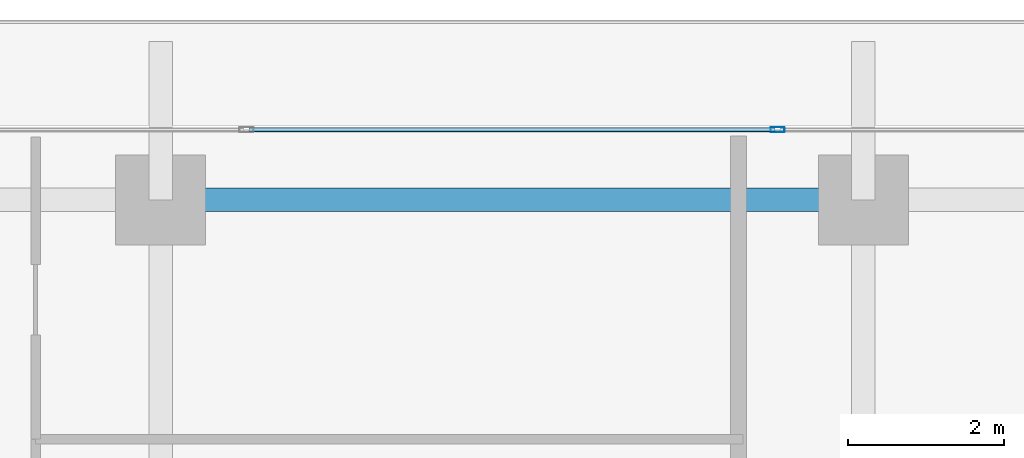
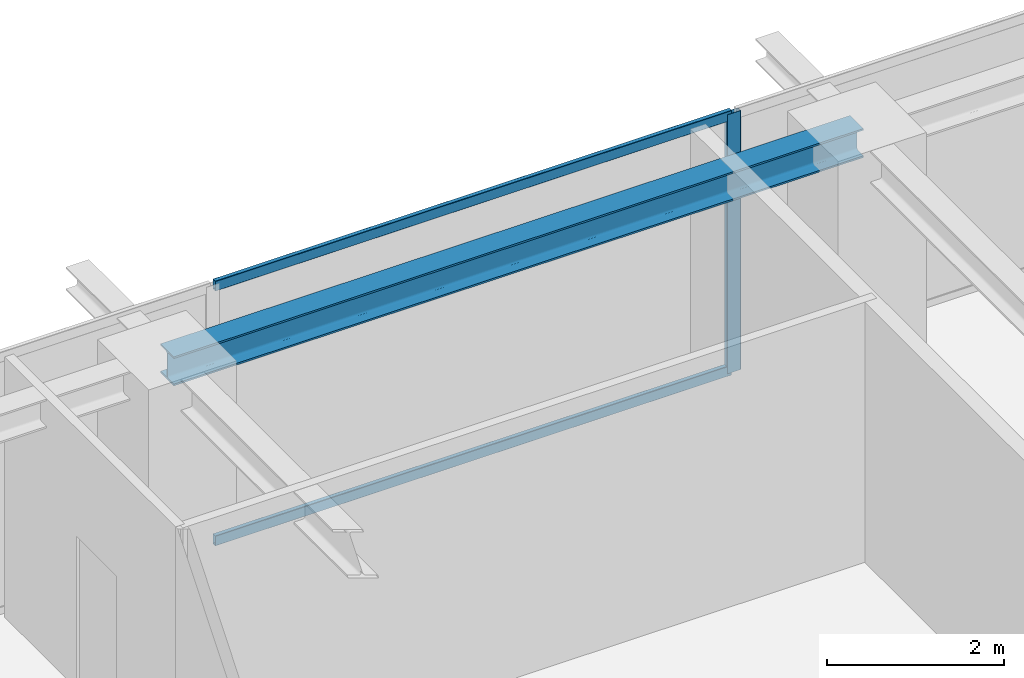
# One storey, part 19 of 35: 3 members, 1 beam, 1 element without a shape of its own.
"""IFC4 building model written with IfcOpenShell, lengths in metres."""

from ifc_helpers import new_model, si_unit, direction, frame, origin, origin_2d, place, context, subcontext, project, spatial, hollow_rectangle, i_section, extrude, source, transform, mapped, material, layer, layer_set, material_profile, profile_set, type_object, element, aggregate, save


model = new_model("IFC4")

# Units and contexts
model_context = context("Model", 3, precision=1e-05, world=origin(), true_north=direction((0.0, 1.0)))
body_context = subcontext(model_context, "Body", "Model", "MODEL_VIEW")
ifc_project = project(units=[si_unit("LENGTHUNIT", "METRE"), si_unit("AREAUNIT", "SQUARE_METRE"), si_unit("VOLUMEUNIT", "CUBIC_METRE"), si_unit("PLANEANGLEUNIT", "RADIAN"), si_unit("MASSUNIT", "GRAM", prefix="KILO")], contexts=[model_context])

# Site, building, storey
site_placement = place(None, origin())
site = spatial("IfcSite", under=ifc_project, at=site_placement, CompositionType="ELEMENT")
building_placement = place(site_placement, origin())
building = spatial("IfcBuilding", under=site, at=building_placement, Name="Serunith Strait Residences", CompositionType="ELEMENT")
storey_placement = place(building_placement, frame((0.0, 0.0, 214.300048828125)))
storey = spatial("IfcBuildingStorey", under=building, at=storey_placement, Name="L53", CompositionType="ELEMENT", Elevation=214.300048828125)

# Beam
ifc_material_1 = material(Name="Steel S355J2", Category="steel")
ifc_material_profile_1 = material_profile(ifc_material_1, i_section(OverallWidth=0.300048828125, OverallDepth=0.39990234375, WebThickness=0.013427734375, FlangeThickness=0.02392578125, FilletRadius=0.027099609375, at=origin_2d()), Name="HEB 400")
ifc_profile_set_1 = profile_set([ifc_material_profile_1], Name="Steel S355J2")
beam_type = type_object("IfcBeamType", Name="BM-HEB400", PredefinedType="BEAM", material=ifc_profile_set_1)
shared_shape_1 = source(origin(), body_context, "Body", "SweptSolid", [
    extrude(i_section(OverallWidth=0.300048828125, OverallDepth=0.39990234375, WebThickness=0.013427734375, FlangeThickness=0.02392578125, FilletRadius=0.027099609375, at=origin_2d()), origin(), (0.0, 0.0, 1.0), 9.0),
])
beam_placement = place(storey_placement, frame((36.89990234375, 48.300048828125, 3.386962890625), z_axis=(-1.0, 0.0, 0.0), x_axis=(0.0, -1.0, 0.0)))
element("IfcBeam", 1, at=beam_placement, inside=storey, type_object=beam_type, Name="L53 Perimeter Ring Beam 10", PredefinedType="BEAM", context=body_context, shape_type="MappedRepresentation", body=[
    mapped(shared_shape_1, transform((0.0, 0.0, 0.0), scale=1.0)),
])

# Curtain wall, members
ifc_material_2 = material(Name="Pale-Champagne Anodised Aluminium", Category="aluminium")
ifc_layer = layer(ifc_material_2, 0.199951171875, Name="Pale-Champagne Anodised Aluminium")
ifc_layer_set = layer_set([ifc_layer], Name="Pale-Champagne Anodised Aluminium")
curtain_wall_type = type_object("IfcCurtainWallType", Name="CW-SYS4", PredefinedType="NOTDEFINED", material=ifc_layer_set)
curtain_wall_placement = place(storey_placement, origin())
curtain_wall = element("IfcCurtainWall", 2, at=curtain_wall_placement, inside=storey, type_object=curtain_wall_type, Name="L53 N Unitised Fritted Curtain Wall", PredefinedType="NOTDEFINED")
ifc_material_profile_2 = material_profile(ifc_material_2, hollow_rectangle(XDim=0.06494140625, YDim=0.179931640625, WallThickness=0.00341796875, InnerFilletRadius=0.00537109375, OuterFilletRadius=0.0087890625, at=origin_2d()), Name="ALU 180x65x3.5")
ifc_profile_set_2 = profile_set([ifc_material_profile_2], Name="Pale-Champagne Anodised Aluminium")
member_type_1 = type_object("IfcMemberType", Name="CW-SYS4-MULL", PredefinedType="MULLION", material=ifc_profile_set_2)
shared_shape_2 = source(origin(), body_context, "Body", "SweptSolid", [
    extrude(hollow_rectangle(XDim=0.06494140625, YDim=0.179931640625, WallThickness=0.00341796875, InnerFilletRadius=0.00537109375, OuterFilletRadius=0.0087890625, at=origin_2d()), origin(), (0.0, 0.0, 1.0), 3.574951171875),
])
member_1_placement = place(storey_placement, frame((35.800048828125, 49.199951171875, 0.0), z_axis=(0.0, 0.0, 1.0), x_axis=(0.0, -1.0, 0.0)))
member_1 = element("IfcMember", 3, at=member_1_placement, type_object=member_type_1, Name="CW-4 mullion 3", PredefinedType="MULLION", context=body_context, shape_type="MappedRepresentation", body=[
    mapped(shared_shape_2, transform((0.0, 0.0, 0.0), scale=1.0)),
])
ifc_material_profile_3 = material_profile(ifc_material_2, hollow_rectangle(XDim=0.06005859375, YDim=0.139892578125, WallThickness=0.00341796875, InnerFilletRadius=0.00537109375, OuterFilletRadius=0.0087890625, at=origin_2d()), Name="ALU 140x60x3.5")
ifc_profile_set_3 = profile_set([ifc_material_profile_3], Name="Pale-Champagne Anodised Aluminium")
member_type_2 = type_object("IfcMemberType", Name="CW-SYS4-TRAN", PredefinedType="USERDEFINED", material=ifc_profile_set_3)
shared_shape_3 = source(origin(), body_context, "Body", "SweptSolid", [
    extrude(hollow_rectangle(XDim=0.06005859375, YDim=0.139892578125, WallThickness=0.00341796875, InnerFilletRadius=0.00537109375, OuterFilletRadius=0.0087890625, at=origin_2d()), origin(), (0.0, 0.0, 1.0), 6.735107421875),
])
member_2_placement = place(storey_placement, frame((35.767578125, 49.199951171875, 0.030029296875), z_axis=(-1.0, 0.0, 0.0), x_axis=(0.0, -1.0, 0.0)))
member_2 = element("IfcMember", 4, at=member_2_placement, type_object=member_type_2, Name="CW-4 transom 3.1", ObjectType="TRANSOM", PredefinedType="USERDEFINED", context=body_context, shape_type="MappedRepresentation", body=[
    mapped(shared_shape_3, transform((0.0, 0.0, 0.0), scale=1.0)),
])
member_3_placement = place(storey_placement, frame((35.767578125, 49.199951171875, 3.544921875), z_axis=(-1.0, 0.0, 0.0), x_axis=(0.0, -1.0, 0.0)))
member_3 = element("IfcMember", 5, at=member_3_placement, type_object=member_type_2, Name="CW-4 transom 3.2", ObjectType="TRANSOM", PredefinedType="USERDEFINED", context=body_context, shape_type="MappedRepresentation", body=[
    mapped(shared_shape_3, transform((0.0, 0.0, 0.0), scale=1.0)),
])
aggregate(curtain_wall, [member_1, member_2, member_3])

save(model, "model.ifc")
